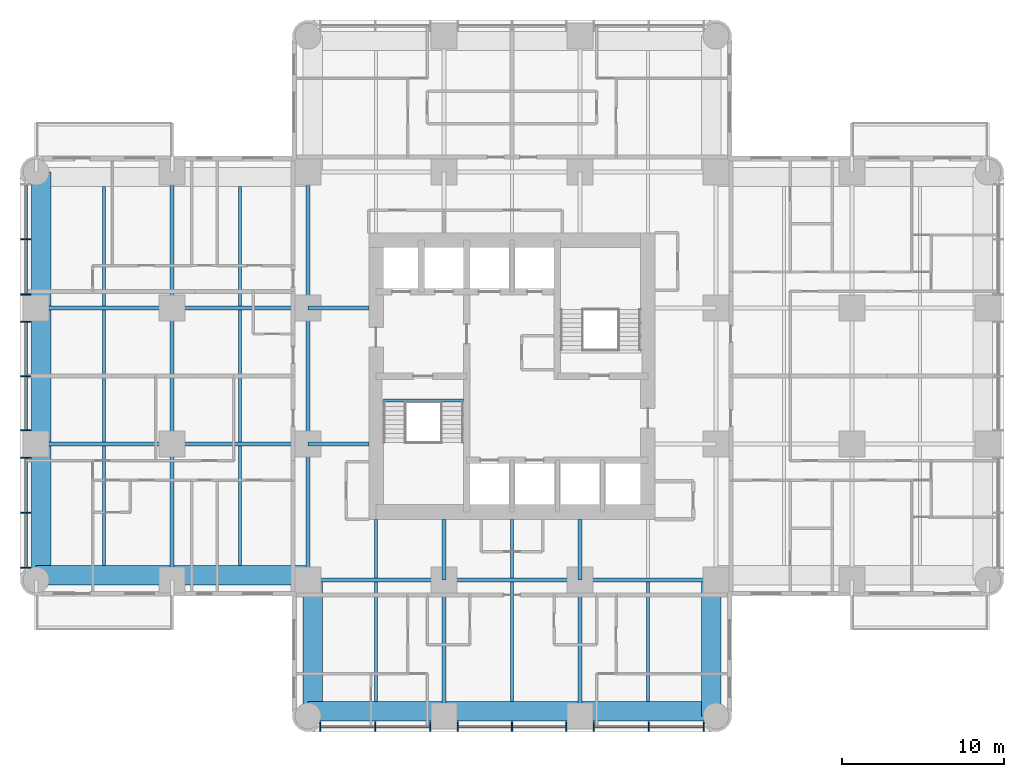
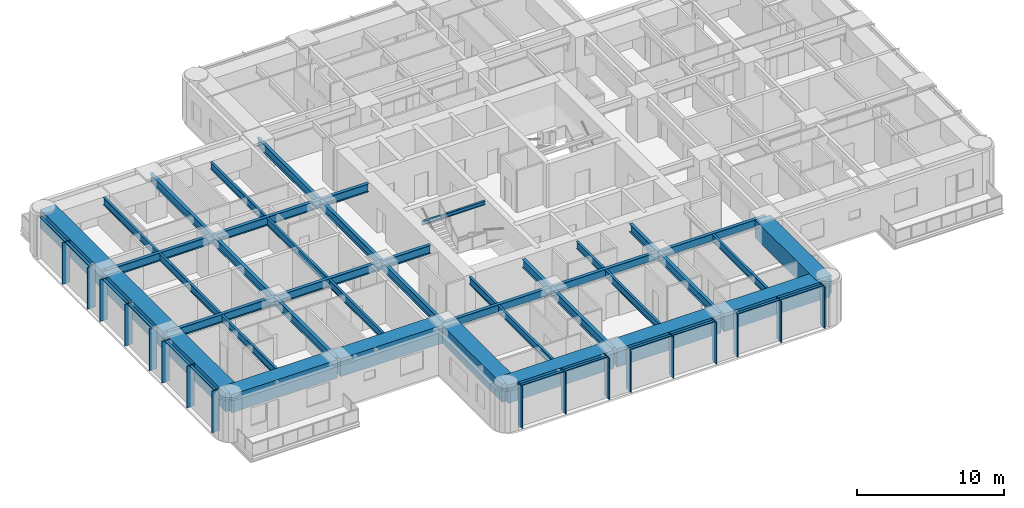
# One storey, part 2 of 15: 41 beams, 29 members, 2 elements without a shape of their own.
"""IFC4 building model written with IfcOpenShell, lengths in metres."""

from ifc_helpers import new_model, si_unit, direction, frame, origin, origin_2d, place, context, subcontext, project, spatial, rectangle, i_section, extrude, material, material_profile, profile_set, type_object, element, aggregate, save


model = new_model("IFC4")

# Units and contexts
model_context = context("Model", 3, precision=1e-05, world=origin(), true_north=direction((0.0, 1.0)))
body_context = subcontext(model_context, "Body", "Model", "MODEL_VIEW")
ifc_project = project(units=[si_unit("LENGTHUNIT", "METRE"), si_unit("AREAUNIT", "SQUARE_METRE"), si_unit("VOLUMEUNIT", "CUBIC_METRE"), si_unit("PLANEANGLEUNIT", "RADIAN"), si_unit("MASSUNIT", "GRAM", prefix="KILO")], contexts=[model_context])

# Site, building, storey
site_placement = place(None, origin())
site = spatial("IfcSite", under=ifc_project, at=site_placement, CompositionType="ELEMENT")
building_placement = place(site_placement, origin())
building = spatial("IfcBuilding", under=site, at=building_placement, Name="Torre Alcanfor", CompositionType="ELEMENT")
storey_placement = place(building_placement, frame((0.0, 0.0, 123.300048828125)))
storey = spatial("IfcBuildingStorey", under=building, at=storey_placement, Name="L31", CompositionType="ELEMENT", Elevation=123.300048828125)

# Curtain wall, members
ifc_material_1 = material(Name="Aluminium and glass", Category="aluminium")
curtain_wall_type = type_object("IfcCurtainWallType", Name="CW-A unitised apartment glazing with vertical FIN", PredefinedType="NOTDEFINED", material=ifc_material_1)
curtain_wall_1_placement = place(storey_placement, origin())
curtain_wall_1 = element("IfcCurtainWall", 1, at=curtain_wall_1_placement, inside=storey, type_object=curtain_wall_type, Name="Curtain wall CW-A L31 2", PredefinedType="NOTDEFINED")
ifc_material_2 = material(Name="Bronze anodised aluminium", Category="aluminium")
ifc_material_profile_1 = material_profile(ifc_material_2, rectangle(XDim=0.60009765625, YDim=0.06494140625, at=origin_2d()), Name="CW-A mullion 65x600")
ifc_profile_set_1 = profile_set([ifc_material_profile_1], Name="Bronze anodised aluminium")
member_type_1 = type_object("IfcMemberType", Name="CW-A mullion with vertical FIN 65x600", PredefinedType="MULLION", material=ifc_profile_set_1)
member_1_placement = place(storey_placement, frame((-0.64990234375, 37.840087890625, 0.0), z_axis=(0.0, 0.0, 1.0), x_axis=(1.0, 0.0, 0.0)))
member_1 = element("IfcMember", 2, at=member_1_placement, type_object=member_type_1, Name="CW-A mullion 1.2", PredefinedType="MULLION", context=body_context, shape_type="SweptSolid", body=[
    extrude(rectangle(XDim=0.60009765625, YDim=0.06494140625, at=origin_2d()), origin(), (0.0, 0.0, 1.0), 3.449951171875),
])
member_2_placement = place(storey_placement, frame((-0.64990234375, 34.4375, 0.0), z_axis=(0.0, 0.0, 1.0), x_axis=(1.0, 0.0, 0.0)))
member_2 = element("IfcMember", 3, at=member_2_placement, type_object=member_type_1, Name="CW-A mullion 1.3", PredefinedType="MULLION", context=body_context, shape_type="SweptSolid", body=[
    extrude(rectangle(XDim=0.60009765625, YDim=0.06494140625, at=origin_2d()), origin(), (0.0, 0.0, 1.0), 3.449951171875),
])
member_3_placement = place(storey_placement, frame((-0.64990234375, 32.762451171875, 0.0), z_axis=(0.0, 0.0, 1.0), x_axis=(1.0, 0.0, 0.0)))
member_3 = element("IfcMember", 4, at=member_3_placement, type_object=member_type_1, Name="CW-A mullion 2.1", PredefinedType="MULLION", context=body_context, shape_type="SweptSolid", body=[
    extrude(rectangle(XDim=0.60009765625, YDim=0.06494140625, at=origin_2d()), origin(), (0.0, 0.0, 1.0), 3.449951171875),
])
member_4_placement = place(storey_placement, frame((-0.64990234375, 29.39990234375, 0.0), z_axis=(0.0, 0.0, 1.0), x_axis=(1.0, 0.0, 0.0)))
member_4 = element("IfcMember", 5, at=member_4_placement, type_object=member_type_1, Name="CW-A mullion 2.2", PredefinedType="MULLION", context=body_context, shape_type="SweptSolid", body=[
    extrude(rectangle(XDim=0.60009765625, YDim=0.06494140625, at=origin_2d()), origin(), (0.0, 0.0, 1.0), 3.449951171875),
])
member_5_placement = place(storey_placement, frame((-0.64990234375, 26.03759765625, 0.0), z_axis=(0.0, 0.0, 1.0), x_axis=(1.0, 0.0, 0.0)))
member_5 = element("IfcMember", 6, at=member_5_placement, type_object=member_type_1, Name="CW-A mullion 2.3", PredefinedType="MULLION", context=body_context, shape_type="SweptSolid", body=[
    extrude(rectangle(XDim=0.60009765625, YDim=0.06494140625, at=origin_2d()), origin(), (0.0, 0.0, 1.0), 3.449951171875),
])
member_6_placement = place(storey_placement, frame((-0.64990234375, 24.362548828125, 0.0), z_axis=(0.0, 0.0, 1.0), x_axis=(1.0, 0.0, 0.0)))
member_6 = element("IfcMember", 7, at=member_6_placement, type_object=member_type_1, Name="CW-A mullion 3.1", PredefinedType="MULLION", context=body_context, shape_type="SweptSolid", body=[
    extrude(rectangle(XDim=0.60009765625, YDim=0.06494140625, at=origin_2d()), origin(), (0.0, 0.0, 1.0), 3.449951171875),
])
member_7_placement = place(storey_placement, frame((-0.64990234375, 20.9599609375, 0.0), z_axis=(0.0, 0.0, 1.0), x_axis=(1.0, 0.0, 0.0)))
member_7 = element("IfcMember", 8, at=member_7_placement, type_object=member_type_1, Name="CW-A mullion 3.2", PredefinedType="MULLION", context=body_context, shape_type="SweptSolid", body=[
    extrude(rectangle(XDim=0.60009765625, YDim=0.06494140625, at=origin_2d()), origin(), (0.0, 0.0, 1.0), 3.449951171875),
])
member_8_placement = place(storey_placement, frame((-0.64990234375, 17.557373046875, 0.0), z_axis=(0.0, 0.0, 1.0), x_axis=(1.0, 0.0, 0.0)))
member_8 = element("IfcMember", 9, at=member_8_placement, type_object=member_type_1, Name="CW-A mullion 3.3", PredefinedType="MULLION", context=body_context, shape_type="SweptSolid", body=[
    extrude(rectangle(XDim=0.60009765625, YDim=0.06494140625, at=origin_2d()), origin(), (0.0, 0.0, 1.0), 3.449951171875),
])

curtain_wall_2_placement = place(storey_placement, origin())
curtain_wall_2 = element("IfcCurtainWall", 10, at=curtain_wall_2_placement, inside=storey, type_object=curtain_wall_type, Name="Curtain wall CW-A L31 5", PredefinedType="NOTDEFINED")
member_9_placement = place(storey_placement, frame((17.557373046875, 7.75, 0.0), z_axis=(0.0, 0.0, 1.0), x_axis=(0.0, 1.0, 0.0)))
member_9 = element("IfcMember", 11, at=member_9_placement, type_object=member_type_1, Name="CW-A mullion 1.1", PredefinedType="MULLION", context=body_context, shape_type="SweptSolid", body=[
    extrude(rectangle(XDim=0.60009765625, YDim=0.06494140625, at=origin_2d()), origin(), (0.0, 0.0, 1.0), 3.449951171875),
])
member_10_placement = place(storey_placement, frame((20.9599609375, 7.75, 0.0), z_axis=(0.0, 0.0, 1.0), x_axis=(0.0, 1.0, 0.0)))
member_10 = element("IfcMember", 12, at=member_10_placement, type_object=member_type_1, Name="CW-A mullion 1.2", PredefinedType="MULLION", context=body_context, shape_type="SweptSolid", body=[
    extrude(rectangle(XDim=0.60009765625, YDim=0.06494140625, at=origin_2d()), origin(), (0.0, 0.0, 1.0), 3.449951171875),
])
member_11_placement = place(storey_placement, frame((24.362548828125, 7.75, 0.0), z_axis=(0.0, 0.0, 1.0), x_axis=(0.0, 1.0, 0.0)))
member_11 = element("IfcMember", 13, at=member_11_placement, type_object=member_type_1, Name="CW-A mullion 1.3", PredefinedType="MULLION", context=body_context, shape_type="SweptSolid", body=[
    extrude(rectangle(XDim=0.60009765625, YDim=0.06494140625, at=origin_2d()), origin(), (0.0, 0.0, 1.0), 3.449951171875),
])
member_12_placement = place(storey_placement, frame((26.03759765625, 7.75, 0.0), z_axis=(0.0, 0.0, 1.0), x_axis=(0.0, 1.0, 0.0)))
member_12 = element("IfcMember", 14, at=member_12_placement, type_object=member_type_1, Name="CW-A mullion 2.1", PredefinedType="MULLION", context=body_context, shape_type="SweptSolid", body=[
    extrude(rectangle(XDim=0.60009765625, YDim=0.06494140625, at=origin_2d()), origin(), (0.0, 0.0, 1.0), 3.449951171875),
])
member_13_placement = place(storey_placement, frame((29.39990234375, 7.75, 0.0), z_axis=(0.0, 0.0, 1.0), x_axis=(0.0, 1.0, 0.0)))
member_13 = element("IfcMember", 15, at=member_13_placement, type_object=member_type_1, Name="CW-A mullion 2.2", PredefinedType="MULLION", context=body_context, shape_type="SweptSolid", body=[
    extrude(rectangle(XDim=0.60009765625, YDim=0.06494140625, at=origin_2d()), origin(), (0.0, 0.0, 1.0), 3.449951171875),
])
member_14_placement = place(storey_placement, frame((32.762451171875, 7.75, 0.0), z_axis=(0.0, 0.0, 1.0), x_axis=(0.0, 1.0, 0.0)))
member_14 = element("IfcMember", 16, at=member_14_placement, type_object=member_type_1, Name="CW-A mullion 2.3", PredefinedType="MULLION", context=body_context, shape_type="SweptSolid", body=[
    extrude(rectangle(XDim=0.60009765625, YDim=0.06494140625, at=origin_2d()), origin(), (0.0, 0.0, 1.0), 3.449951171875),
])
member_15_placement = place(storey_placement, frame((34.4375, 7.75, 0.0), z_axis=(0.0, 0.0, 1.0), x_axis=(0.0, 1.0, 0.0)))
member_15 = element("IfcMember", 17, at=member_15_placement, type_object=member_type_1, Name="CW-A mullion 3.1", PredefinedType="MULLION", context=body_context, shape_type="SweptSolid", body=[
    extrude(rectangle(XDim=0.60009765625, YDim=0.06494140625, at=origin_2d()), origin(), (0.0, 0.0, 1.0), 3.449951171875),
])
member_16_placement = place(storey_placement, frame((37.840087890625, 7.75, 0.0), z_axis=(0.0, 0.0, 1.0), x_axis=(0.0, 1.0, 0.0)))
member_16 = element("IfcMember", 18, at=member_16_placement, type_object=member_type_1, Name="CW-A mullion 3.2", PredefinedType="MULLION", context=body_context, shape_type="SweptSolid", body=[
    extrude(rectangle(XDim=0.60009765625, YDim=0.06494140625, at=origin_2d()), origin(), (0.0, 0.0, 1.0), 3.449951171875),
])
member_17_placement = place(storey_placement, frame((41.24267578125, 7.75, 0.0), z_axis=(0.0, 0.0, 1.0), x_axis=(0.0, 1.0, 0.0)))
member_17 = element("IfcMember", 19, at=member_17_placement, type_object=member_type_1, Name="CW-A mullion 3.3", PredefinedType="MULLION", context=body_context, shape_type="SweptSolid", body=[
    extrude(rectangle(XDim=0.60009765625, YDim=0.06494140625, at=origin_2d()), origin(), (0.0, 0.0, 1.0), 3.449951171875),
])

# Member
ifc_material_3 = material(Name="Extruded aluminium", Category="aluminium")
ifc_material_profile_2 = material_profile(ifc_material_3, rectangle(XDim=0.199951171875, YDim=0.06494140625, at=origin_2d()), Name="CW-A transom 200x65")
ifc_profile_set_2 = profile_set([ifc_material_profile_2], Name="Extruded aluminium")
member_type_2 = type_object("IfcMemberType", Name="CW-A transom 65x200", PredefinedType="USERDEFINED", material=ifc_profile_set_2)
member_18_placement = place(storey_placement, frame((-0.64990234375, 41.210205078125, 3.41748046875), z_axis=(0.0, -1.0, 0.0), x_axis=(1.0, 0.0, 0.0)))
member_18 = element("IfcMember", 20, at=member_18_placement, type_object=member_type_2, Name="CW-A transom 1.1.2", ObjectType="TRANSOM", PredefinedType="USERDEFINED", context=body_context, shape_type="SweptSolid", body=[
    extrude(rectangle(XDim=0.199951171875, YDim=0.06494140625, at=origin_2d()), origin(), (0.0, 0.0, 1.0), 3.337646484375),
])

member_19_placement = place(storey_placement, frame((-0.64990234375, 37.8076171875, 3.41748046875), z_axis=(0.0, -1.0, 0.0), x_axis=(1.0, 0.0, 0.0)))
member_19 = element("IfcMember", 21, at=member_19_placement, type_object=member_type_2, Name="CW-A transom 1.2.2", ObjectType="TRANSOM", PredefinedType="USERDEFINED", context=body_context, shape_type="SweptSolid", body=[
    extrude(rectangle(XDim=0.199951171875, YDim=0.06494140625, at=origin_2d()), origin(), (0.0, 0.0, 1.0), 3.337646484375),
])

member_20_placement = place(storey_placement, frame((-0.64990234375, 32.72998046875, 3.41748046875), z_axis=(0.0, -1.0, 0.0), x_axis=(1.0, 0.0, 0.0)))
member_20 = element("IfcMember", 22, at=member_20_placement, type_object=member_type_2, Name="CW-A transom 2.1.2", ObjectType="TRANSOM", PredefinedType="USERDEFINED", context=body_context, shape_type="SweptSolid", body=[
    extrude(rectangle(XDim=0.199951171875, YDim=0.06494140625, at=origin_2d()), origin(), (0.0, 0.0, 1.0), 3.29736328125),
])

member_21_placement = place(storey_placement, frame((-0.64990234375, 29.367431640625, 3.41748046875), z_axis=(0.0, -1.0, 0.0), x_axis=(1.0, 0.0, 0.0)))
member_21 = element("IfcMember", 23, at=member_21_placement, type_object=member_type_2, Name="CW-A transom 2.2.2", ObjectType="TRANSOM", PredefinedType="USERDEFINED", context=body_context, shape_type="SweptSolid", body=[
    extrude(rectangle(XDim=0.199951171875, YDim=0.06494140625, at=origin_2d()), origin(), (0.0, 0.0, 1.0), 3.29736328125),
])

member_22_placement = place(storey_placement, frame((-0.64990234375, 24.330078125, 3.41748046875), z_axis=(0.0, -1.0, 0.0), x_axis=(1.0, 0.0, 0.0)))
member_22 = element("IfcMember", 24, at=member_22_placement, type_object=member_type_2, Name="CW-A transom 3.1.2", ObjectType="TRANSOM", PredefinedType="USERDEFINED", context=body_context, shape_type="SweptSolid", body=[
    extrude(rectangle(XDim=0.199951171875, YDim=0.06494140625, at=origin_2d()), origin(), (0.0, 0.0, 1.0), 3.337646484375),
])

member_23_placement = place(storey_placement, frame((-0.64990234375, 20.927490234375, 3.41748046875), z_axis=(0.0, -1.0, 0.0), x_axis=(1.0, 0.0, 0.0)))
member_23 = element("IfcMember", 25, at=member_23_placement, type_object=member_type_2, Name="CW-A transom 3.2.2", ObjectType="TRANSOM", PredefinedType="USERDEFINED", context=body_context, shape_type="SweptSolid", body=[
    extrude(rectangle(XDim=0.199951171875, YDim=0.06494140625, at=origin_2d()), origin(), (0.0, 0.0, 1.0), 3.337646484375),
])

aggregate(curtain_wall_1, [member_1, member_2, member_18, member_19, member_3, member_4, member_5, member_20, member_21, member_6, member_7, member_8, member_22, member_23])

member_24_placement = place(storey_placement, frame((17.58984375, 7.75, 3.41748046875), z_axis=(1.0, 0.0, 0.0), x_axis=(0.0, 1.0, 0.0)))
member_24 = element("IfcMember", 26, at=member_24_placement, type_object=member_type_2, Name="CW-A transom 1.1.2", ObjectType="TRANSOM", PredefinedType="USERDEFINED", context=body_context, shape_type="SweptSolid", body=[
    extrude(rectangle(XDim=0.199951171875, YDim=0.06494140625, at=origin_2d()), origin(), (0.0, 0.0, 1.0), 3.337646484375),
])

member_25_placement = place(storey_placement, frame((20.992431640625, 7.75, 3.41748046875), z_axis=(1.0, 0.0, 0.0), x_axis=(0.0, 1.0, 0.0)))
member_25 = element("IfcMember", 27, at=member_25_placement, type_object=member_type_2, Name="CW-A transom 1.2.2", ObjectType="TRANSOM", PredefinedType="USERDEFINED", context=body_context, shape_type="SweptSolid", body=[
    extrude(rectangle(XDim=0.199951171875, YDim=0.06494140625, at=origin_2d()), origin(), (0.0, 0.0, 1.0), 3.337646484375),
])

member_26_placement = place(storey_placement, frame((26.070068359375, 7.75, 3.41748046875), z_axis=(1.0, 0.0, 0.0), x_axis=(0.0, 1.0, 0.0)))
member_26 = element("IfcMember", 28, at=member_26_placement, type_object=member_type_2, Name="CW-A transom 2.1.2", ObjectType="TRANSOM", PredefinedType="USERDEFINED", context=body_context, shape_type="SweptSolid", body=[
    extrude(rectangle(XDim=0.199951171875, YDim=0.06494140625, at=origin_2d()), origin(), (0.0, 0.0, 1.0), 3.29736328125),
])

member_27_placement = place(storey_placement, frame((29.4326171875, 7.75, 3.41748046875), z_axis=(1.0, 0.0, 0.0), x_axis=(0.0, 1.0, 0.0)))
member_27 = element("IfcMember", 29, at=member_27_placement, type_object=member_type_2, Name="CW-A transom 2.2.2", ObjectType="TRANSOM", PredefinedType="USERDEFINED", context=body_context, shape_type="SweptSolid", body=[
    extrude(rectangle(XDim=0.199951171875, YDim=0.06494140625, at=origin_2d()), origin(), (0.0, 0.0, 1.0), 3.29736328125),
])

member_28_placement = place(storey_placement, frame((34.469970703125, 7.75, 3.41748046875), z_axis=(1.0, 0.0, 0.0), x_axis=(0.0, 1.0, 0.0)))
member_28 = element("IfcMember", 30, at=member_28_placement, type_object=member_type_2, Name="CW-A transom 3.1.2", ObjectType="TRANSOM", PredefinedType="USERDEFINED", context=body_context, shape_type="SweptSolid", body=[
    extrude(rectangle(XDim=0.199951171875, YDim=0.06494140625, at=origin_2d()), origin(), (0.0, 0.0, 1.0), 3.337646484375),
])

member_29_placement = place(storey_placement, frame((37.87255859375, 7.75, 3.41748046875), z_axis=(1.0, 0.0, 0.0), x_axis=(0.0, 1.0, 0.0)))
member_29 = element("IfcMember", 31, at=member_29_placement, type_object=member_type_2, Name="CW-A transom 3.2.2", ObjectType="TRANSOM", PredefinedType="USERDEFINED", context=body_context, shape_type="SweptSolid", body=[
    extrude(rectangle(XDim=0.199951171875, YDim=0.06494140625, at=origin_2d()), origin(), (0.0, 0.0, 1.0), 3.337646484375),
])

aggregate(curtain_wall_2, [member_9, member_10, member_11, member_24, member_25, member_12, member_13, member_14, member_26, member_27, member_15, member_16, member_17, member_28, member_29])

# Beams
ifc_material_4 = material(Name="Steel ASTM A992 Grade 50", Category="steel")
ifc_material_profile_3 = material_profile(ifc_material_4, i_section(OverallWidth=0.25390625, OverallDepth=0.683349609375, WebThickness=0.012451171875, FlangeThickness=0.01904296875, at=origin_2d()), Name="W27x94")
ifc_profile_set_3 = profile_set([ifc_material_profile_3], Name="Steel ASTM A992 Grade 50")
beam_type_1 = type_object("IfcBeamType", Name="Girder W27x94", PredefinedType="BEAM", material=ifc_profile_set_3)
beam_1_placement = place(storey_placement, frame((16.800048828125, 16.800048828125, 3.1083984375), z_axis=(1.0, 0.0, 0.0), x_axis=(0.0, 1.0, 0.0)))
element("IfcBeam", 32, at=beam_1_placement, inside=storey, type_object=beam_type_1, Name="Beam 3E-4E under L32", PredefinedType="BEAM", context=body_context, shape_type="SweptSolid", body=[
    extrude(i_section(OverallWidth=0.25390625, OverallDepth=0.683349609375, WebThickness=0.012451171875, FlangeThickness=0.01904296875, at=origin_2d()), origin(), (0.0, 0.0, 1.0), 8.39990234375),
])
beam_2_placement = place(storey_placement, frame((25.199951171875, 16.800048828125, 3.1083984375), z_axis=(1.0, 0.0, 0.0), x_axis=(0.0, 1.0, 0.0)))
element("IfcBeam", 33, at=beam_2_placement, inside=storey, type_object=beam_type_1, Name="Beam 4E-5E under L32", PredefinedType="BEAM", context=body_context, shape_type="SweptSolid", body=[
    extrude(i_section(OverallWidth=0.25390625, OverallDepth=0.683349609375, WebThickness=0.012451171875, FlangeThickness=0.01904296875, at=origin_2d()), origin(), (0.0, 0.0, 1.0), 8.400146484375),
])
for number, where, z_axis, x_axis, name in (
    (34, (33.60009765625, 16.800048828125, 3.1083984375), (1.0, 0.0, 0.0), (0.0, 1.0, 0.0), "Beam 5E-6E under L32"),
    (35, (0.0, 25.199951171875, 3.1083984375), (1.0, 0.0, 0.0), (0.0, 1.0, 0.0), "Beam 1F-2F under L32"),
):
    element("IfcBeam", number, at=place(storey_placement, frame(where, z_axis=z_axis, x_axis=x_axis)), inside=storey, type_object=beam_type_1, Name=name, PredefinedType="BEAM", context=body_context, shape_type="SweptSolid", body=[
        extrude(i_section(OverallWidth=0.25390625, OverallDepth=0.683349609375, WebThickness=0.012451171875, FlangeThickness=0.01904296875, at=origin_2d()), origin(), (0.0, 0.0, 1.0), 8.39990234375),
    ])
beam_3_placement = place(storey_placement, frame((8.39990234375, 25.199951171875, 3.1083984375), z_axis=(1.0, 0.0, 0.0), x_axis=(0.0, 1.0, 0.0)))
element("IfcBeam", 36, at=beam_3_placement, inside=storey, type_object=beam_type_1, Name="Beam 2F-3F under L32", PredefinedType="BEAM", context=body_context, shape_type="SweptSolid", body=[
    extrude(i_section(OverallWidth=0.25390625, OverallDepth=0.683349609375, WebThickness=0.012451171875, FlangeThickness=0.01904296875, at=origin_2d()), origin(), (0.0, 0.0, 1.0), 8.400146484375),
])
beam_4_placement = place(storey_placement, frame((0.0, 33.60009765625, 3.1083984375), z_axis=(1.0, 0.0, 0.0), x_axis=(0.0, 1.0, 0.0)))
element("IfcBeam", 37, at=beam_4_placement, inside=storey, type_object=beam_type_1, Name="Beam 1G-2G under L32", PredefinedType="BEAM", context=body_context, shape_type="SweptSolid", body=[
    extrude(i_section(OverallWidth=0.25390625, OverallDepth=0.683349609375, WebThickness=0.012451171875, FlangeThickness=0.01904296875, at=origin_2d()), origin(), (0.0, 0.0, 1.0), 8.39990234375),
])
beam_5_placement = place(storey_placement, frame((8.39990234375, 33.60009765625, 3.1083984375), z_axis=(1.0, 0.0, 0.0), x_axis=(0.0, 1.0, 0.0)))
element("IfcBeam", 38, at=beam_5_placement, inside=storey, type_object=beam_type_1, Name="Beam 2G-3G under L32", PredefinedType="BEAM", context=body_context, shape_type="SweptSolid", body=[
    extrude(i_section(OverallWidth=0.25390625, OverallDepth=0.683349609375, WebThickness=0.012451171875, FlangeThickness=0.01904296875, at=origin_2d()), origin(), (0.0, 0.0, 1.0), 8.400146484375),
])
beam_6_placement = place(storey_placement, frame((8.39990234375, 16.800048828125, 3.1083984375), z_axis=(0.0, 1.0, 0.0), x_axis=(-1.0, 0.0, 0.0)))
element("IfcBeam", 39, at=beam_6_placement, inside=storey, type_object=beam_type_1, Name="Beam 2E-2F under L32", PredefinedType="BEAM", context=body_context, shape_type="SweptSolid", body=[
    extrude(i_section(OverallWidth=0.25390625, OverallDepth=0.683349609375, WebThickness=0.012451171875, FlangeThickness=0.01904296875, at=origin_2d()), origin(), (0.0, 0.0, 1.0), 8.39990234375),
])
beam_7_placement = place(storey_placement, frame((8.39990234375, 25.199951171875, 3.1083984375), z_axis=(0.0, 1.0, 0.0), x_axis=(-1.0, 0.0, 0.0)))
element("IfcBeam", 40, at=beam_7_placement, inside=storey, type_object=beam_type_1, Name="Beam 2F-2G under L32", PredefinedType="BEAM", context=body_context, shape_type="SweptSolid", body=[
    extrude(i_section(OverallWidth=0.25390625, OverallDepth=0.683349609375, WebThickness=0.012451171875, FlangeThickness=0.01904296875, at=origin_2d()), origin(), (0.0, 0.0, 1.0), 8.400146484375),
])
for number, where, z_axis, x_axis, name in (
    (41, (8.39990234375, 33.60009765625, 3.1083984375), (0.0, 1.0, 0.0), (-1.0, 0.0, 0.0), "Beam 2G-2H under L32"),
    (42, (16.800048828125, 16.800048828125, 3.1083984375), (0.0, 1.0, 0.0), (-1.0, 0.0, 0.0), "Beam 3E-3F under L32"),
):
    element("IfcBeam", number, at=place(storey_placement, frame(where, z_axis=z_axis, x_axis=x_axis)), inside=storey, type_object=beam_type_1, Name=name, PredefinedType="BEAM", context=body_context, shape_type="SweptSolid", body=[
        extrude(i_section(OverallWidth=0.25390625, OverallDepth=0.683349609375, WebThickness=0.012451171875, FlangeThickness=0.01904296875, at=origin_2d()), origin(), (0.0, 0.0, 1.0), 8.39990234375),
    ])
beam_8_placement = place(storey_placement, frame((16.800048828125, 25.199951171875, 3.1083984375), z_axis=(0.0, 1.0, 0.0), x_axis=(-1.0, 0.0, 0.0)))
element("IfcBeam", 43, at=beam_8_placement, inside=storey, type_object=beam_type_1, Name="Beam 3F-3G under L32", PredefinedType="BEAM", context=body_context, shape_type="SweptSolid", body=[
    extrude(i_section(OverallWidth=0.25390625, OverallDepth=0.683349609375, WebThickness=0.012451171875, FlangeThickness=0.01904296875, at=origin_2d()), origin(), (0.0, 0.0, 1.0), 8.400146484375),
])
beam_9_placement = place(storey_placement, frame((16.800048828125, 33.60009765625, 3.1083984375), z_axis=(0.0, 1.0, 0.0), x_axis=(-1.0, 0.0, 0.0)))
element("IfcBeam", 44, at=beam_9_placement, inside=storey, type_object=beam_type_1, Name="Beam 3G-3H under L32", PredefinedType="BEAM", context=body_context, shape_type="SweptSolid", body=[
    extrude(i_section(OverallWidth=0.25390625, OverallDepth=0.683349609375, WebThickness=0.012451171875, FlangeThickness=0.01904296875, at=origin_2d()), origin(), (0.0, 0.0, 1.0), 8.39990234375),
])
for number, where, z_axis, x_axis, name in (
    (45, (25.199951171875, 8.39990234375, 3.1083984375), (0.0, 1.0, 0.0), (-1.0, 0.0, 0.0), "Beam 4D-4E under L32"),
    (46, (33.60009765625, 8.39990234375, 3.1083984375), (0.0, 1.0, 0.0), (-1.0, 0.0, 0.0), "Beam 5D-5E under L32"),
):
    element("IfcBeam", number, at=place(storey_placement, frame(where, z_axis=z_axis, x_axis=x_axis)), inside=storey, type_object=beam_type_1, Name=name, PredefinedType="BEAM", context=body_context, shape_type="SweptSolid", body=[
        extrude(i_section(OverallWidth=0.25390625, OverallDepth=0.683349609375, WebThickness=0.012451171875, FlangeThickness=0.01904296875, at=origin_2d()), origin(), (0.0, 0.0, 1.0), 8.400146484375),
    ])
ifc_material_5 = material(Name="Steel ASTM A992 Grade 50", Category="steel")
ifc_material_profile_4 = material_profile(ifc_material_5, i_section(OverallWidth=0.25390625, OverallDepth=0.683349609375, WebThickness=0.012451171875, FlangeThickness=0.01904296875, at=origin_2d()), Name="W27x94")
ifc_profile_set_4 = profile_set([ifc_material_profile_4], Name="Steel ASTM A992 Grade 50")
beam_type_2 = type_object("IfcBeamType", Name="Girder, part bay W27x94", PredefinedType="BEAM", material=ifc_profile_set_4)
for number, where, z_axis, x_axis, name in (
    (47, (25.199951171875, 16.800048828125, 3.1083984375), (0.0, 1.0, 0.0), (-1.0, 0.0, 0.0), "Beam 4E-420_55 under L32"),
    (48, (33.60009765625, 16.800048828125, 3.1083984375), (0.0, 1.0, 0.0), (-1.0, 0.0, 0.0), "Beam 5E-520_55 under L32"),
    (49, (16.800048828125, 25.199951171875, 3.1083984375), (1.0, 0.0, 0.0), (0.0, 1.0, 0.0), "Beam 3F-20_55F under L32"),
    (50, (16.800048828125, 33.60009765625, 3.1083984375), (1.0, 0.0, 0.0), (0.0, 1.0, 0.0), "Beam 3G-20_55G under L32"),
):
    element("IfcBeam", number, at=place(storey_placement, frame(where, z_axis=z_axis, x_axis=x_axis)), inside=storey, type_object=beam_type_2, Name=name, PredefinedType="BEAM", context=body_context, shape_type="SweptSolid", body=[
        extrude(i_section(OverallWidth=0.25390625, OverallDepth=0.683349609375, WebThickness=0.012451171875, FlangeThickness=0.01904296875, at=origin_2d()), origin(), (0.0, 0.0, 1.0), 3.75),
    ])
ifc_material_6 = material(Name="Concrete f'c 70 MPa", Category="concrete")
ifc_material_profile_5 = material_profile(ifc_material_6, rectangle(XDim=1.199951171875, YDim=1.5, at=origin_2d()), Name="1200x1500")
ifc_profile_set_5 = profile_set([ifc_material_profile_5], Name="Concrete f'c 70 MPa")
beam_type_3 = type_object("IfcBeamType", Name="RC perimeter beam 1200x1500", PredefinedType="BEAM", material=ifc_profile_set_5)
beam_10_placement = place(storey_placement, frame((16.800048828125, 8.699951171875, 2.699951171875), z_axis=(1.0, 0.0, 0.0), x_axis=(0.0, 1.0, 0.0)))
element("IfcBeam", 51, at=beam_10_placement, inside=storey, type_object=beam_type_3, Name="Beam 3D-4D under L32", PredefinedType="BEAM", context=body_context, shape_type="SweptSolid", body=[
    extrude(rectangle(XDim=1.199951171875, YDim=1.5, at=origin_2d()), origin(), (0.0, 0.0, 1.0), 8.27294921875),
])
beam_11_placement = place(storey_placement, frame((25.326904296875, 8.699951171875, 2.699951171875), z_axis=(1.0, 0.0, 0.0), x_axis=(0.0, 1.0, 0.0)))
element("IfcBeam", 52, at=beam_11_placement, inside=storey, type_object=beam_type_3, Name="Beam 4D-5D under L32", PredefinedType="BEAM", context=body_context, shape_type="SweptSolid", body=[
    extrude(rectangle(XDim=1.199951171875, YDim=1.5, at=origin_2d()), origin(), (0.0, 0.0, 1.0), 8.14599609375),
])
for number, where, z_axis, x_axis, name in (
    (53, (33.72705078125, 8.699951171875, 2.699951171875), (1.0, 0.0, 0.0), (0.0, 1.0, 0.0), "Beam 5D-6D under L32"),
    (54, (0.0, 17.10009765625, 2.699951171875), (1.0, 0.0, 0.0), (0.0, 1.0, 0.0), "Beam 1E-2E under L32"),
):
    element("IfcBeam", number, at=place(storey_placement, frame(where, z_axis=z_axis, x_axis=x_axis)), inside=storey, type_object=beam_type_3, Name=name, PredefinedType="BEAM", context=body_context, shape_type="SweptSolid", body=[
        extrude(rectangle(XDim=1.199951171875, YDim=1.5, at=origin_2d()), origin(), (0.0, 0.0, 1.0), 8.27294921875),
    ])
beam_12_placement = place(storey_placement, frame((8.527099609375, 17.10009765625, 2.699951171875), z_axis=(1.0, 0.0, 0.0), x_axis=(0.0, 1.0, 0.0)))
element("IfcBeam", 55, at=beam_12_placement, inside=storey, type_object=beam_type_3, Name="Beam 2E-3E under L32", PredefinedType="BEAM", context=body_context, shape_type="SweptSolid", body=[
    extrude(rectangle(XDim=1.199951171875, YDim=1.5, at=origin_2d()), origin(), (0.0, 0.0, 1.0), 8.39990234375),
])
beam_13_placement = place(storey_placement, frame((0.300048828125, 16.800048828125, 2.699951171875), z_axis=(0.0, 1.0, 0.0), x_axis=(-1.0, 0.0, 0.0)))
element("IfcBeam", 56, at=beam_13_placement, inside=storey, type_object=beam_type_3, Name="Beam 1E-1F under L32", PredefinedType="BEAM", context=body_context, shape_type="SweptSolid", body=[
    extrude(rectangle(XDim=1.199951171875, YDim=1.5, at=origin_2d()), origin(), (0.0, 0.0, 1.0), 8.27294921875),
])
beam_14_placement = place(storey_placement, frame((0.300048828125, 25.326904296875, 2.699951171875), z_axis=(0.0, 1.0, 0.0), x_axis=(-1.0, 0.0, 0.0)))
element("IfcBeam", 57, at=beam_14_placement, inside=storey, type_object=beam_type_3, Name="Beam 1F-1G under L32", PredefinedType="BEAM", context=body_context, shape_type="SweptSolid", body=[
    extrude(rectangle(XDim=1.199951171875, YDim=1.5, at=origin_2d()), origin(), (0.0, 0.0, 1.0), 8.14599609375),
])
beam_15_placement = place(storey_placement, frame((0.300048828125, 33.72705078125, 2.699951171875), z_axis=(0.0, 1.0, 0.0), x_axis=(-1.0, 0.0, 0.0)))
element("IfcBeam", 58, at=beam_15_placement, inside=storey, type_object=beam_type_3, Name="Beam 1G-1H under L32", PredefinedType="BEAM", context=body_context, shape_type="SweptSolid", body=[
    extrude(rectangle(XDim=1.199951171875, YDim=1.5, at=origin_2d()), origin(), (0.0, 0.0, 1.0), 8.27294921875),
])
for number, where, z_axis, x_axis, name in (
    (59, (17.10009765625, 8.39990234375, 2.699951171875), (0.0, 1.0, 0.0), (-1.0, 0.0, 0.0), "Beam 3D-3E under L32"),
    (60, (41.699951171875, 8.39990234375, 2.699951171875), (0.0, 1.0, 0.0), (-1.0, 0.0, 0.0), "Beam 6D-6E under L32"),
):
    element("IfcBeam", number, at=place(storey_placement, frame(where, z_axis=z_axis, x_axis=x_axis)), inside=storey, type_object=beam_type_3, Name=name, PredefinedType="BEAM", context=body_context, shape_type="SweptSolid", body=[
        extrude(rectangle(XDim=1.199951171875, YDim=1.5, at=origin_2d()), origin(), (0.0, 0.0, 1.0), 8.273193359375),
    ])
ifc_material_7 = material(Name="Steel ASTM A992 Grade 50", Category="steel")
ifc_material_profile_6 = material_profile(ifc_material_7, i_section(OverallWidth=0.1787109375, OverallDepth=0.60205078125, WebThickness=0.010986328125, FlangeThickness=0.014892578125, at=origin_2d()), Name="W24x62")
ifc_profile_set_6 = profile_set([ifc_material_profile_6], Name="Steel ASTM A992 Grade 50")
beam_type_4 = type_object("IfcBeamType", Name="Secondary beam W24x62", PredefinedType="BEAM", material=ifc_profile_set_6)
beam_16_placement = place(storey_placement, frame((4.199951171875, 17.699951171875, 3.14892578125), z_axis=(0.0, 1.0, 0.0), x_axis=(-1.0, 0.0, 0.0)))
element("IfcBeam", 61, at=beam_16_placement, inside=storey, type_object=beam_type_4, Name="Beam 4_2E-4_2F under L32", PredefinedType="BEAM", context=body_context, shape_type="SweptSolid", body=[
    extrude(i_section(OverallWidth=0.1787109375, OverallDepth=0.60205078125, WebThickness=0.010986328125, FlangeThickness=0.014892578125, at=origin_2d()), origin(), (0.0, 0.0, 1.0), 7.373046875),
])
beam_17_placement = place(storey_placement, frame((4.199951171875, 25.326904296875, 3.14892578125), z_axis=(0.0, 1.0, 0.0), x_axis=(-1.0, 0.0, 0.0)))
element("IfcBeam", 62, at=beam_17_placement, inside=storey, type_object=beam_type_4, Name="Beam 4_2F-4_2G under L32", PredefinedType="BEAM", context=body_context, shape_type="SweptSolid", body=[
    extrude(i_section(OverallWidth=0.1787109375, OverallDepth=0.60205078125, WebThickness=0.010986328125, FlangeThickness=0.014892578125, at=origin_2d()), origin(), (0.0, 0.0, 1.0), 8.14599609375),
])
for number, where, z_axis, x_axis, name in (
    (63, (4.199951171875, 33.72705078125, 3.14892578125), (0.0, 1.0, 0.0), (-1.0, 0.0, 0.0), "Beam 4_2G-4_2H under L32"),
    (64, (12.60009765625, 17.699951171875, 3.14892578125), (0.0, 1.0, 0.0), (-1.0, 0.0, 0.0), "Beam 12_6E-12_6F under L32"),
):
    element("IfcBeam", number, at=place(storey_placement, frame(where, z_axis=z_axis, x_axis=x_axis)), inside=storey, type_object=beam_type_4, Name=name, PredefinedType="BEAM", context=body_context, shape_type="SweptSolid", body=[
        extrude(i_section(OverallWidth=0.1787109375, OverallDepth=0.60205078125, WebThickness=0.010986328125, FlangeThickness=0.014892578125, at=origin_2d()), origin(), (0.0, 0.0, 1.0), 7.373046875),
    ])
beam_18_placement = place(storey_placement, frame((12.60009765625, 25.326904296875, 3.14892578125), z_axis=(0.0, 1.0, 0.0), x_axis=(-1.0, 0.0, 0.0)))
element("IfcBeam", 65, at=beam_18_placement, inside=storey, type_object=beam_type_4, Name="Beam 12_6F-12_6G under L32", PredefinedType="BEAM", context=body_context, shape_type="SweptSolid", body=[
    extrude(i_section(OverallWidth=0.1787109375, OverallDepth=0.60205078125, WebThickness=0.010986328125, FlangeThickness=0.014892578125, at=origin_2d()), origin(), (0.0, 0.0, 1.0), 8.14599609375),
])
for number, where, z_axis, x_axis, name in (
    (66, (12.60009765625, 33.72705078125, 3.14892578125), (0.0, 1.0, 0.0), (-1.0, 0.0, 0.0), "Beam 12_6G-12_6H under L32"),
    (67, (21.0, 9.300048828125, 3.14892578125), (0.0, 1.0, 0.0), (-1.0, 0.0, 0.0), "Beam 21D-21E under L32"),
    (68, (29.39990234375, 9.300048828125, 3.14892578125), (0.0, 1.0, 0.0), (-1.0, 0.0, 0.0), "Beam 29_4D-29_4E under L32"),
    (69, (37.800048828125, 9.300048828125, 3.14892578125), (0.0, 1.0, 0.0), (-1.0, 0.0, 0.0), "Beam 37_8D-37_8E under L32"),
):
    element("IfcBeam", number, at=place(storey_placement, frame(where, z_axis=z_axis, x_axis=x_axis)), inside=storey, type_object=beam_type_4, Name=name, PredefinedType="BEAM", context=body_context, shape_type="SweptSolid", body=[
        extrude(i_section(OverallWidth=0.1787109375, OverallDepth=0.60205078125, WebThickness=0.010986328125, FlangeThickness=0.014892578125, at=origin_2d()), origin(), (0.0, 0.0, 1.0), 7.373046875),
    ])
ifc_material_8 = material(Name="Steel ASTM A992 Grade 50", Category="steel")
ifc_material_profile_7 = material_profile(ifc_material_8, i_section(OverallWidth=0.1787109375, OverallDepth=0.60205078125, WebThickness=0.010986328125, FlangeThickness=0.014892578125, at=origin_2d()), Name="W24x62")
ifc_profile_set_7 = profile_set([ifc_material_profile_7], Name="Steel ASTM A992 Grade 50")
beam_type_5 = type_object("IfcBeamType", Name="Secondary beam, part bay W24x62", PredefinedType="BEAM", material=ifc_profile_set_7)
for number, where, z_axis, x_axis, name in (
    (70, (21.0, 16.927001953125, 3.14892578125), (0.0, 1.0, 0.0), (-1.0, 0.0, 0.0), "Beam 21E-2120_55 under L32"),
    (71, (29.39990234375, 16.927001953125, 3.14892578125), (0.0, 1.0, 0.0), (-1.0, 0.0, 0.0), "Beam 29_4E-29_420_55 under L32"),
):
    element("IfcBeam", number, at=place(storey_placement, frame(where, z_axis=z_axis, x_axis=x_axis)), inside=storey, type_object=beam_type_5, Name=name, PredefinedType="BEAM", context=body_context, shape_type="SweptSolid", body=[
        extrude(i_section(OverallWidth=0.1787109375, OverallDepth=0.60205078125, WebThickness=0.010986328125, FlangeThickness=0.014892578125, at=origin_2d()), origin(), (0.0, 0.0, 1.0), 3.623046875),
    ])
ifc_material_9 = material(Name="Steel ASTM A992 Grade 50", Category="steel")
ifc_material_profile_8 = material_profile(ifc_material_9, i_section(OverallWidth=0.164794921875, OverallDepth=0.309814453125, WebThickness=0.005859375, FlangeThickness=0.009765625, at=origin_2d()), Name="W12x26")
ifc_profile_set_8 = profile_set([ifc_material_profile_8], Name="Steel ASTM A992 Grade 50")
beam_type_6 = type_object("IfcBeamType", Name="Stair landing beam W12x26", PredefinedType="BEAM", material=ifc_profile_set_8)
beam_19_placement = place(storey_placement, frame((21.449951171875, 27.887451171875, 3.2451171875), z_axis=(1.0, 0.0, 0.0), x_axis=(0.0, 1.0, 0.0)))
element("IfcBeam", 72, at=beam_19_placement, inside=storey, type_object=beam_type_6, Name="Landing trimmer S1 L32", PredefinedType="BEAM", context=body_context, shape_type="SweptSolid", body=[
    extrude(i_section(OverallWidth=0.164794921875, OverallDepth=0.309814453125, WebThickness=0.005859375, FlangeThickness=0.009765625, at=origin_2d()), origin(), (0.0, 0.0, 1.0), 4.949951171875),
])

save(model, "model.ifc")
